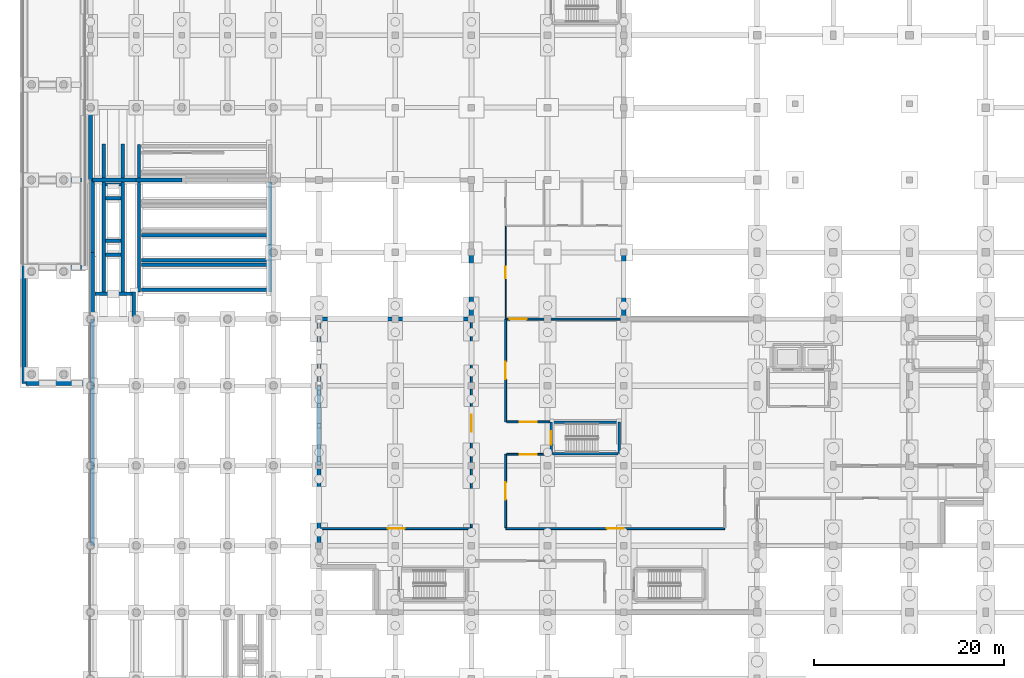
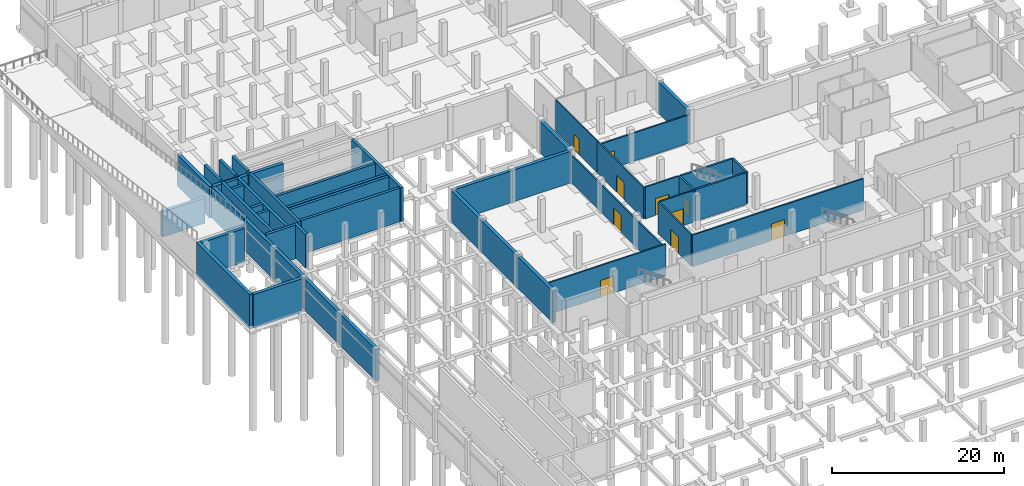
# One storey, part 34 of 50: 49 walls, 10 doors, 10 openings.
"""IFC4 building model written with IfcOpenShell, lengths in metres."""

import ifcopenshell
import ifcopenshell.guid

model = None  # the IFC model being written
_history = None  # IfcOwnerHistory: only IFC2X3 demands one
_inside = {}  # id of a spatial element -> (the spatial element, [elements in it])
_under = {}  # id of a project, library or spatial element -> (it, [spatial elements below it])
_declared = {}  # id of a project -> (the project, [libraries it declares])
_typed = {}  # id of a type object -> (the type object, [elements of that type])
_made_of = {}  # id of a material, layer set ... -> (it, [elements and type objects made of it])


def new_model(schema):
    """Start an empty IFC model of exactly this schema.

    Asked for "IFC4X3", IfcOpenShell would pick the latest addendum, in which some entities
    have other attributes; the version numbers below select the first issue.
    IFC2X3 requires an IfcOwnerHistory on every rooted entity: one is made here for all.
    """
    global model, _history
    if schema == "IFC4X3":
        model = ifcopenshell.file(schema_version=(4, 3, 0, 0))
    else:
        model = ifcopenshell.file(schema=schema)
    _inside.clear()
    _under.clear()
    _declared.clear()
    _typed.clear()
    _made_of.clear()
    _history = None
    if model.schema == "IFC2X3":
        org = make("IfcOrganization", Name="unknown")
        user = make(
            "IfcPersonAndOrganization",
            ThePerson=make("IfcPerson", FamilyName="unknown"),
            TheOrganization=org,
        )
        app = make(
            "IfcApplication",
            ApplicationDeveloper=org,
            Version="unknown",
            ApplicationFullName="unknown",
            ApplicationIdentifier="unknown",
        )
        _history = make(
            "IfcOwnerHistory",
            OwningUser=user,
            OwningApplication=app,
            ChangeAction="ADDED",
            CreationDate=0,
        )
    return model


def make(cls, **values):
    """One entity of the class cls with the attributes given. An attribute that is None is left unset."""
    return model.create_entity(
        cls, **{name: value for name, value in values.items() if value is not None}
    )


def rooted(cls, **values):
    """An entity with a GlobalId (a new one), such as an element, a storey or a relation."""
    return make(cls, GlobalId=ifcopenshell.guid.new(), OwnerHistory=_history, **values)


def si_unit(unit_type, name, prefix=None):
    """IfcSIUnit, for example si_unit("LENGTHUNIT", "METRE", prefix="MILLI")."""
    return make("IfcSIUnit", UnitType=unit_type, Prefix=prefix, Name=name)


def assignment(units):
    """IfcUnitAssignment: the units of a project."""
    return None if units is None else make("IfcUnitAssignment", Units=units)


def point(xyz):
    """IfcCartesianPoint."""
    return None if xyz is None else make("IfcCartesianPoint", Coordinates=xyz)


def direction(xyz):
    """IfcDirection."""
    return None if xyz is None else make("IfcDirection", DirectionRatios=xyz)


def frame(location, z_axis=None, x_axis=None):
    """IfcAxis2Placement3D, a coordinate frame: its origin and axes. An axis left out is left unset."""
    return make(
        "IfcAxis2Placement3D",
        Location=point(location),
        Axis=direction(z_axis),
        RefDirection=direction(x_axis),
    )


def frame_2d(location, x_axis=None):
    """IfcAxis2Placement2D, a coordinate frame in the plane: its origin and x axis."""
    return make(
        "IfcAxis2Placement2D", Location=point(location), RefDirection=direction(x_axis)
    )


def origin():
    """The frame at (0, 0, 0) with its axes left unset."""
    return frame((0.0, 0.0, 0.0))


def place(relative_to, where):
    """IfcLocalPlacement: puts the frame where relative to a parent placement (None: the world)."""
    return make(
        "IfcLocalPlacement", PlacementRelTo=relative_to, RelativePlacement=where
    )


def context(
    kind, dimensions, precision=None, world=None, true_north=None, identifier=None
):
    """IfcGeometricRepresentationContext, for example the 3D "Model" context."""
    return make(
        "IfcGeometricRepresentationContext",
        ContextIdentifier=identifier,
        ContextType=kind,
        CoordinateSpaceDimension=dimensions,
        Precision=precision,
        WorldCoordinateSystem=world,
        TrueNorth=true_north,
    )


def subcontext(parent, identifier, kind, view, scale=None):
    """IfcGeometricRepresentationSubContext, for example "Body" below "Model"."""
    return make(
        "IfcGeometricRepresentationSubContext",
        ContextIdentifier=identifier,
        ContextType=kind,
        ParentContext=parent,
        TargetScale=scale,
        TargetView=view,
    )


def project(units=None, contexts=None):
    """IfcProject with its units and contexts."""
    return rooted(
        "IfcProject",
        Name="project",
        RepresentationContexts=contexts,
        UnitsInContext=assignment(units),
    )


def spatial(cls, under=None, at=None, **own):
    """A site, building, storey or space (cls), placed at a placement, below another one or the project."""
    s = rooted(cls, ObjectPlacement=at, **own)
    if under is not None:
        _under.setdefault(under.id(), (under, []))[1].append(s)
    return s


def profile(cls, at=None, kind="AREA", **sizes):
    """A parametric profile (cls). Its sizes go by their IFC names, for example OverallWidth=200.0."""
    return make(cls, ProfileType=kind, Position=at, **sizes)


def rectangle(**sizes):
    """IfcRectangleProfileDef."""
    return profile("IfcRectangleProfileDef", **sizes)


def extrude(swept, where, along, depth):
    """IfcExtrudedAreaSolid: the profile swept, set in the frame where, extruded along a direction by depth."""
    return make(
        "IfcExtrudedAreaSolid",
        SweptArea=swept,
        Position=where,
        ExtrudedDirection=direction(along),
        Depth=depth,
    )


def shape(context_of_items, identifier, shape_type, items):
    """IfcShapeRepresentation: the items that make up one representation, for example the "Body"."""
    return make(
        "IfcShapeRepresentation",
        ContextOfItems=context_of_items,
        RepresentationIdentifier=identifier,
        RepresentationType=shape_type,
        Items=items,
    )


def material(Name=None, Category=None):
    """IfcMaterial."""
    return make("IfcMaterial", Name=Name, Category=Category)


def layer(
    of_material, thickness, ventilated=None, Name=None, Category=None, Priority=None
):
    """IfcMaterialLayer: one layer of a wall or slab, of a material (None: an air gap)."""
    return make(
        "IfcMaterialLayer",
        Material=of_material,
        LayerThickness=thickness,
        IsVentilated=ventilated,
        Name=Name,
        Category=Category,
        Priority=Priority,
    )


def layer_set(layers, Name=None):
    """IfcMaterialLayerSet."""
    return make("IfcMaterialLayerSet", MaterialLayers=layers, LayerSetName=Name)


def made_of(thing, what):
    """Note that an element or type object is made of a material, layer set ...; save() writes the relation."""
    if what is not None:
        _made_of.setdefault(what.id(), (what, []))[1].append(thing)
    return thing


def type_object(cls, material=None, **own):
    """A type object (cls), such as IfcWallType, which elements share."""
    return made_of(rooted(cls, **own), material)


def element(
    cls,
    number,
    at=None,
    inside=None,
    cuts=None,
    type_object=None,
    material=None,
    context=None,
    identifier="Body",
    shape_type=None,
    held_by="IfcProductDefinitionShape",
    body=None,
    shapes=None,
    **own,
):
    """One element of the class cls, such as IfcWall. Its Tag is "e" and its number.

    at: its placement. inside: the storey or other place that contains it. cuts: it is an
    opening in that element (IfcRelVoidsElement). A single representation is given by context,
    identifier, shape_type and body (its items); several are given by shapes. held_by: the class
    of the entity that holds the representations. save() writes the other relations.
    """
    e = rooted(cls, Tag="e%d" % number, ObjectPlacement=at, **own)
    if body is not None:
        shapes = [shape(context, identifier, shape_type, body)]
    if shapes is not None:
        e.Representation = make(held_by, Representations=shapes)
    if inside is not None:
        _inside.setdefault(inside.id(), (inside, []))[1].append(e)
    if cuts is not None:
        rooted(
            "IfcRelVoidsElement", RelatingBuildingElement=cuts, RelatedOpeningElement=e
        )
    if type_object is not None:
        _typed.setdefault(type_object.id(), (type_object, []))[1].append(e)
    return made_of(e, material)


def fill(opening, filler):
    """IfcRelFillsElement: the door or window that sits in an opening."""
    return rooted(
        "IfcRelFillsElement",
        RelatingOpeningElement=opening,
        RelatedBuildingElement=filler,
    )


def aggregate(whole, parts):
    """IfcRelAggregates: a whole, such as a stair, and the parts it consists of."""
    return rooted("IfcRelAggregates", RelatingObject=whole, RelatedObjects=parts)


def save(model, path):
    """Write the relations noted so far, then the file.

    IfcRelAggregates (storeys below a building ...), IfcRelContainedInSpatialStructure (elements
    in a storey), IfcRelDefinesByType, IfcRelAssociatesMaterial and IfcRelDeclares: one each for
    every whole, place, type object, material and project.
    """
    for whole, parts in _under.values():
        aggregate(whole, parts)
    for where, things in _inside.values():
        rooted(
            "IfcRelContainedInSpatialStructure",
            RelatedElements=things,
            RelatingStructure=where,
        )
    for kind, things in _typed.values():
        rooted("IfcRelDefinesByType", RelatedObjects=things, RelatingType=kind)
    for what, things in _made_of.values():
        rooted("IfcRelAssociatesMaterial", RelatedObjects=things, RelatingMaterial=what)
    for by, libraries in _declared.values():
        rooted("IfcRelDeclares", RelatingContext=by, RelatedDefinitions=libraries)
    model.write(path)


model = new_model("IFC4")

# Units and contexts
model_context = context("Model", 3, precision=1e-05, world=origin(), true_north=direction((0.0, 1.0)))
body_context = subcontext(model_context, "Body", "Model", "MODEL_VIEW")
ifc_project = project(units=[si_unit("LENGTHUNIT", "METRE"), si_unit("AREAUNIT", "SQUARE_METRE"), si_unit("VOLUMEUNIT", "CUBIC_METRE"), si_unit("PLANEANGLEUNIT", "RADIAN"), si_unit("MASSUNIT", "GRAM", prefix="KILO")], contexts=[model_context])

# Site, building, storey
site_placement = place(None, origin())
site = spatial("IfcSite", under=ifc_project, at=site_placement, CompositionType="ELEMENT")
building_placement = place(site_placement, origin())
building = spatial("IfcBuilding", under=site, at=building_placement, Name="Vekula Escarpment Museum", CompositionType="ELEMENT")
storey_placement = place(building_placement, frame((0.0, 0.0, -4.800048828125)))
storey = spatial("IfcBuildingStorey", under=building, at=storey_placement, Name="B1", CompositionType="ELEMENT", Elevation=-4.800048828125)

# Walls
ifc_material_1 = material(Name="Inkisi arkosic sandstone masonry", Category="masonry")
ifc_layer_1 = layer(ifc_material_1, 0.360107421875)
ifc_layer_set_1 = layer_set([ifc_layer_1], Name="Inkisi arkosic sandstone masonry")
wall_type_1 = type_object("IfcWallType", Name="WL-AMP-CHEEK", PredefinedType="SOLIDWALL", material=ifc_layer_set_1)
wall_1_placement = place(storey_placement, frame((1.389892578125, 86.199951171875, 0.0), z_axis=(0.0, 0.0, 1.0), x_axis=(0.0, 1.0, 0.0)))
element("IfcWall", 1, at=wall_1_placement, inside=storey, type_object=wall_type_1, Name="Escarpment Plinth Sub-Plinth Wall ST-AMP-N1 W", PredefinedType="SOLIDWALL", context=body_context, shape_type="SweptSolid", body=[
    extrude(rectangle(XDim=11.571044921875, YDim=0.360107421875, at=frame_2d((5.78564453125, 0.0))), origin(), (0.0, 0.0, 1.0), 4.800048828125),
])
wall_2_placement = place(storey_placement, frame((1.389892578125, 98.22900390625, 0.0), z_axis=(0.0, 0.0, 1.0), x_axis=(0.0, 1.0, 0.0)))
element("IfcWall", 2, at=wall_2_placement, inside=storey, type_object=wall_type_1, Name="Escarpment Plinth Sub-Plinth Wall ST-AMP-N1 W", PredefinedType="SOLIDWALL", context=body_context, shape_type="SweptSolid", body=[
    extrude(rectangle(XDim=3.56103515625, YDim=0.360107421875, at=frame_2d((1.780517578125, 0.0))), origin(), (0.0, 0.0, 1.0), 4.800048828125),
])
wall_3_placement = place(storey_placement, frame((3.409912109375, 86.199951171875, 0.0), z_axis=(0.0, 0.0, 1.0), x_axis=(0.0, 1.0, 0.0)))
element("IfcWall", 3, at=wall_3_placement, inside=storey, type_object=wall_type_1, Name="Escarpment Plinth Sub-Plinth Wall ST-AMP-N1 E", PredefinedType="SOLIDWALL", context=body_context, shape_type="SweptSolid", body=[
    extrude(rectangle(XDim=11.571044921875, YDim=0.360107421875, at=frame_2d((5.78564453125, 0.0))), origin(), (0.0, 0.0, 1.0), 4.800048828125),
])
wall_4_placement = place(storey_placement, frame((3.409912109375, 98.22900390625, 0.0), z_axis=(0.0, 0.0, 1.0), x_axis=(0.0, 1.0, 0.0)))
element("IfcWall", 4, at=wall_4_placement, inside=storey, type_object=wall_type_1, Name="Escarpment Plinth Sub-Plinth Wall ST-AMP-N1 E", PredefinedType="SOLIDWALL", context=body_context, shape_type="SweptSolid", body=[
    extrude(rectangle(XDim=3.56103515625, YDim=0.360107421875, at=frame_2d((1.780517578125, 0.0))), origin(), (0.0, 0.0, 1.0), 4.800048828125),
])
for number, where, z_axis, x_axis, name in (
    (5, (1.60009765625, 96.080078125, 0.0), (0.0, 0.0, 1.0), (1.0, 0.0, 0.0), "Escarpment Plinth Landing Sub-Wall ST-AMP-N1-1A"),
    (6, (1.60009765625, 97.530029296875, 0.0), (0.0, 0.0, 1.0), (1.0, 0.0, 0.0), "Escarpment Plinth Landing Sub-Wall ST-AMP-N1-1B"),
    (7, (1.60009765625, 90.169921875, 0.0), (0.0, 0.0, 1.0), (1.0, 0.0, 0.0), "Escarpment Plinth Landing Sub-Wall ST-AMP-N1-2A"),
    (8, (1.60009765625, 91.6201171875, 0.0), (0.0, 0.0, 1.0), (1.0, 0.0, 0.0), "Escarpment Plinth Landing Sub-Wall ST-AMP-N1-2B"),
):
    element("IfcWall", number, at=place(storey_placement, frame(where, z_axis=z_axis, x_axis=x_axis)), inside=storey, type_object=wall_type_1, Name=name, PredefinedType="SOLIDWALL", context=body_context, shape_type="SweptSolid", body=[
        extrude(rectangle(XDim=1.599853515625, YDim=0.360107421875, at=frame_2d((0.7998046875, 0.0))), origin(), (0.0, 0.0, 1.0), 4.800048828125),
    ])
wall_5_placement = place(storey_placement, frame((4.550048828125, 83.64990234375, 0.0), z_axis=(0.0, 0.0, 1.0), x_axis=(0.0, 1.0, 0.0)))
element("IfcWall", 9, at=wall_5_placement, inside=storey, type_object=wall_type_1, Name="Terrace Plinth Sub-Wall B1-06", PredefinedType="SOLIDWALL", context=body_context, shape_type="SweptSolid", body=[
    extrude(rectangle(XDim=2.590087890625, YDim=0.360107421875, at=frame_2d((1.294921875, 0.0))), origin(), (0.0, 0.0, 1.0), 4.800048828125),
])
wall_6_placement = place(storey_placement, frame((0.4541015625, 86.050048828125, 0.0), z_axis=(0.0, 0.0, 1.0), x_axis=(1.0, 0.0, 0.0)))
element("IfcWall", 10, at=wall_6_placement, inside=storey, type_object=wall_type_1, Name="Terrace Plinth Sub-Wall B1-07", PredefinedType="SOLIDWALL", context=body_context, shape_type="SweptSolid", body=[
    extrude(rectangle(XDim=3.89599609375, YDim=0.360107421875, at=frame_2d((1.947998046875, 0.0))), origin(), (0.0, 0.0, 1.0), 4.800048828125),
])
wall_7_placement = place(storey_placement, frame((5.10009765625, 86.25, 0.0), z_axis=(0.0, 0.0, 1.0), x_axis=(0.0, 1.0, 0.0)))
element("IfcWall", 11, at=wall_7_placement, inside=storey, type_object=wall_type_1, Name="Escarpment Plinth Bowl Sub-Wall N-W", PredefinedType="SOLIDWALL", context=body_context, shape_type="SweptSolid", body=[
    extrude(rectangle(XDim=11.52099609375, YDim=0.360107421875, at=frame_2d((5.760498046875, 0.0))), origin(), (0.0, 0.0, 1.0), 4.800048828125),
])
wall_8_placement = place(storey_placement, frame((5.10009765625, 98.22900390625, 0.0), z_axis=(0.0, 0.0, 1.0), x_axis=(0.0, 1.0, 0.0)))
element("IfcWall", 12, at=wall_8_placement, inside=storey, type_object=wall_type_1, Name="Escarpment Plinth Bowl Sub-Wall N-W", PredefinedType="SOLIDWALL", context=body_context, shape_type="SweptSolid", body=[
    extrude(rectangle(XDim=3.52099609375, YDim=0.360107421875, at=frame_2d((1.760498046875, 0.0))), origin(), (0.0, 0.0, 1.0), 4.800048828125),
])
wall_9_placement = place(storey_placement, frame((18.89990234375, 86.25, 0.0), z_axis=(0.0, 0.0, 1.0), x_axis=(0.0, 1.0, 0.0)))
element("IfcWall", 13, at=wall_9_placement, inside=storey, type_object=wall_type_1, Name="Escarpment Plinth Bowl Sub-Wall N-E", PredefinedType="SOLIDWALL", context=body_context, shape_type="SweptSolid", body=[
    extrude(rectangle(XDim=11.52099609375, YDim=0.360107421875, at=frame_2d((5.760498046875, 0.0))), origin(), (0.0, 0.0, 1.0), 4.800048828125),
])
for number, where, z_axis, x_axis, name in (
    (14, (5.35009765625, 89.570068359375, 0.0), (0.0, 0.0, 1.0), (1.0, 0.0, 0.0), "Escarpment Plinth Bench Sub-Wall 09F"),
    (15, (5.35009765625, 92.199951171875, 0.0), (0.0, 0.0, 1.0), (1.0, 0.0, 0.0), "Escarpment Plinth Bench Sub-Wall 09B"),
    (16, (5.35009765625, 86.469970703125, 0.0), (0.0, 0.0, 1.0), (1.0, 0.0, 0.0), "Escarpment Plinth Bench Sub-Wall 10F"),
    (17, (5.35009765625, 89.10009765625, 0.0), (0.0, 0.0, 1.0), (1.0, 0.0, 0.0), "Escarpment Plinth Bench Sub-Wall 10B"),
):
    element("IfcWall", number, at=place(storey_placement, frame(where, z_axis=z_axis, x_axis=x_axis)), inside=storey, type_object=wall_type_1, Name=name, PredefinedType="SOLIDWALL", context=body_context, shape_type="SweptSolid", body=[
        extrude(rectangle(XDim=13.2998046875, YDim=0.360107421875, at=frame_2d((6.64990234375, 0.0))), origin(), (0.0, 0.0, 1.0), 4.800048828125),
    ])

# Wall, opening, door
ifc_material_2 = material(Name="Concrete C35/45", Category="concrete")
ifc_layer_2 = layer(ifc_material_2, 0.25)
ifc_layer_set_2 = layer_set([ifc_layer_2], Name="Concrete C35/45")
wall_type_2 = type_object("IfcWallType", Name="WL-CORE-250", PredefinedType="SHEAR", material=ifc_layer_set_2)
wall_10_placement = place(storey_placement, frame((48.375, 69.27490234375, 0.0), z_axis=(0.0, 0.0, 1.0), x_axis=(0.0, 1.0, 0.0)))
wall_10 = element("IfcWall", 18, at=wall_10_placement, inside=storey, type_object=wall_type_2, Name="Stair Core Wall ST-10 B1 W", PredefinedType="SHEAR", context=body_context, shape_type="SweptSolid", body=[
    extrude(rectangle(XDim=3.2900390625, YDim=0.25, at=frame_2d((1.64501953125, 0.0))), origin(), (0.0, 0.0, 1.0), 4.5),
])
opening_1_placement = place(wall_10_placement, frame((0.945068359375, 0.0, 0.0)))
opening_1 = element("IfcOpeningElement", 19, at=opening_1_placement, cuts=wall_10, Name="Opening DR-FD60", PredefinedType="OPENING", context=body_context, shape_type="SweptSolid", body=[
    extrude(rectangle(XDim=1.39990234375, YDim=2.199951171875, at=frame_2d((0.699951171875, 1.10009765625))), frame((0.0, 0.135009765625, 0.0), z_axis=(0.0, -1.0, 0.0), x_axis=(1.0, 0.0, 0.0)), (0.0, 0.0, 1.0), 0.27001953125),
])
ifc_material_3 = material(Name="Fire-rated steel stair door", Category="steel")
door_type_1 = type_object("IfcDoorType", Name="DR-STAIR-1400x2200", OperationType="NOTDEFINED", PredefinedType="DOOR", material=ifc_material_3)
door_1_placement = place(opening_1_placement, origin())
door_1 = element("IfcDoor", 20, at=door_1_placement, inside=storey, type_object=door_type_1, Name="Protected Exit Stair Door ST-10 B1", OperationType="SINGLE_SWING_RIGHT", OverallHeight=2.199951171875, OverallWidth=1.39990234375, PredefinedType="DOOR", context=body_context, shape_type="SweptSolid", body=[
    extrude(rectangle(XDim=1.39990234375, YDim=2.199951171875, at=frame_2d((0.699951171875, 1.10009765625))), frame((0.0, 0.02490234375, 0.0), z_axis=(0.0, -1.0, 0.0), x_axis=(1.0, 0.0, 0.0)), (0.0, 0.0, 1.0), 0.050048828125),
])
fill(opening_1, door_1)

# Walls
wall_11_placement = place(storey_placement, frame((55.52490234375, 69.27490234375, 0.0), z_axis=(0.0, 0.0, 1.0), x_axis=(0.0, 1.0, 0.0)))
element("IfcWall", 21, at=wall_11_placement, inside=storey, type_object=wall_type_2, Name="Stair Core Wall ST-10 B1 E", PredefinedType="SHEAR", context=body_context, shape_type="SweptSolid", body=[
    extrude(rectangle(XDim=3.2900390625, YDim=0.25, at=frame_2d((1.64501953125, 0.0))), origin(), (0.0, 0.0, 1.0), 4.5),
])
for number, where, z_axis, x_axis, name in (
    (22, (48.50390625, 69.27490234375, 0.0), (0.0, 0.0, 1.0), (1.0, 0.0, 0.0), "Stair Core Wall ST-10 B1 S"),
    (23, (48.50390625, 72.56494140625, 0.0), (0.0, 0.0, 1.0), (1.0, 0.0, 0.0), "Stair Core Wall ST-10 B1 N"),
):
    element("IfcWall", number, at=place(storey_placement, frame(where, z_axis=z_axis, x_axis=x_axis)), inside=storey, type_object=wall_type_2, Name=name, PredefinedType="SHEAR", context=body_context, shape_type="SweptSolid", body=[
        extrude(rectangle(XDim=6.89208984375, YDim=0.25, at=frame_2d((3.446044921875, 0.0))), origin(), (0.0, 0.0, 1.0), 4.5),
    ])

# Wall, opening, door
ifc_material_4 = material(Name="Concrete C35/45", Category="concrete")
ifc_layer_3 = layer(ifc_material_4, 0.199951171875)
ifc_layer_set_3 = layer_set([ifc_layer_3], Name="Concrete C35/45")
wall_type_3 = type_object("IfcWallType", Name="WL-FFL-200", PredefinedType="PARTITIONING", material=ifc_layer_set_3)
wall_12_placement = place(storey_placement, frame((43.6640625, 83.39990234375, 0.0), z_axis=(0.0, 0.0, 1.0), x_axis=(1.0, 0.0, 0.0)))
wall_12 = element("IfcWall", 24, at=wall_12_placement, inside=storey, type_object=wall_type_3, Name="Interior Partition WL-INT-B1-0009", PredefinedType="PARTITIONING", context=body_context, shape_type="SweptSolid", body=[
    extrude(rectangle(XDim=12.3359375, YDim=0.199951171875, at=frame_2d((6.16796875, 0.0))), origin(), (0.0, 0.0, 1.0), 4.01513671875),
])
opening_2_placement = place(wall_12_placement, frame((0.35009765625, 0.0, 0.0)))
opening_2 = element("IfcOpeningElement", 25, at=opening_2_placement, cuts=wall_12, Name="Opening DR-FD120", PredefinedType="OPENING", context=body_context, shape_type="SweptSolid", body=[
    extrude(rectangle(XDim=1.800048828125, YDim=2.39990234375, at=frame_2d((0.89990234375, 1.199951171875))), frame((0.0, 0.10986328125, 0.0), z_axis=(0.0, -1.0, 0.0), x_axis=(1.0, 0.0, 0.0)), (0.0, 0.0, 1.0), 0.219970703125),
])
ifc_material_5 = material(Name="Fire-rated steel archive vault door", Category="steel")
door_type_2 = type_object("IfcDoorType", Name="DR-VAULT-1800x2400", OperationType="NOTDEFINED", PredefinedType="DOOR", material=ifc_material_5)
door_2_placement = place(opening_2_placement, origin())
door_2 = element("IfcDoor", 26, at=door_2_placement, inside=storey, type_object=door_type_2, Name="Interior Door B1-006", OperationType="SINGLE_SWING_RIGHT", OverallHeight=2.39990234375, OverallWidth=1.800048828125, PredefinedType="DOOR", context=body_context, shape_type="SweptSolid", body=[
    extrude(rectangle(XDim=1.800048828125, YDim=2.39990234375, at=frame_2d((0.89990234375, 1.199951171875))), frame((0.0, 0.02490234375, 0.0), z_axis=(0.0, -1.0, 0.0), x_axis=(1.0, 0.0, 0.0)), (0.0, 0.0, 1.0), 0.050048828125),
])
fill(opening_2, door_2)

wall_13_placement = place(storey_placement, frame((24.22900390625, 61.39990234375, 0.0), z_axis=(0.0, 0.0, 1.0), x_axis=(1.0, 0.0, 0.0)))
wall_13 = element("IfcWall", 27, at=wall_13_placement, inside=storey, type_object=wall_type_3, Name="Interior Partition WL-INT-B1-0010", PredefinedType="PARTITIONING", context=body_context, shape_type="SweptSolid", body=[
    extrude(rectangle(XDim=15.77099609375, YDim=0.199951171875, at=frame_2d((7.885498046875, 0.0))), origin(), (0.0, 0.0, 1.0), 4.5),
])
opening_3_placement = place(wall_13_placement, frame((6.985595703125, 0.0, 0.0)))
opening_3 = element("IfcOpeningElement", 28, at=opening_3_placement, cuts=wall_13, Name="Opening DR-FD120", PredefinedType="OPENING", context=body_context, shape_type="SweptSolid", body=[
    extrude(rectangle(XDim=1.800048828125, YDim=2.39990234375, at=frame_2d((0.89990234375, 1.199951171875))), frame((0.0, 0.10986328125, 0.0), z_axis=(0.0, -1.0, 0.0), x_axis=(1.0, 0.0, 0.0)), (0.0, 0.0, 1.0), 0.219970703125),
])
door_3_placement = place(opening_3_placement, origin())
door_3 = element("IfcDoor", 29, at=door_3_placement, inside=storey, type_object=door_type_2, Name="Interior Door B1-007", OperationType="SINGLE_SWING_LEFT", OverallHeight=2.39990234375, OverallWidth=1.800048828125, PredefinedType="DOOR", context=body_context, shape_type="SweptSolid", body=[
    extrude(rectangle(XDim=1.800048828125, YDim=2.39990234375, at=frame_2d((0.89990234375, 1.199951171875))), frame((0.0, 0.02490234375, 0.0), z_axis=(0.0, -1.0, 0.0), x_axis=(1.0, 0.0, 0.0)), (0.0, 0.0, 1.0), 0.050048828125),
])
fill(opening_3, door_3)

wall_14_placement = place(storey_placement, frame((43.60009765625, 61.39990234375, 0.0), z_axis=(0.0, 0.0, 1.0), x_axis=(1.0, 0.0, 0.0)))
wall_14 = element("IfcWall", 30, at=wall_14_placement, inside=storey, type_object=wall_type_3, Name="Interior Partition WL-INT-B1-0011", PredefinedType="PARTITIONING", context=body_context, shape_type="SweptSolid", body=[
    extrude(rectangle(XDim=23.0, YDim=0.199951171875, at=frame_2d((11.5, 0.0))), origin(), (0.0, 0.0, 1.0), 4.5),
])
opening_4_placement = place(wall_14_placement, frame((10.60009765625, 0.0, 0.0)))
opening_4 = element("IfcOpeningElement", 31, at=opening_4_placement, cuts=wall_14, Name="Opening DR-FD120", PredefinedType="OPENING", context=body_context, shape_type="SweptSolid", body=[
    extrude(rectangle(XDim=1.800048828125, YDim=2.39990234375, at=frame_2d((0.89990234375, 1.199951171875))), frame((0.0, 0.10986328125, 0.0), z_axis=(0.0, -1.0, 0.0), x_axis=(1.0, 0.0, 0.0)), (0.0, 0.0, 1.0), 0.219970703125),
])
door_4_placement = place(opening_4_placement, origin())
door_4 = element("IfcDoor", 32, at=door_4_placement, inside=storey, type_object=door_type_2, Name="Interior Door B1-008", OperationType="SINGLE_SWING_RIGHT", OverallHeight=2.39990234375, OverallWidth=1.800048828125, PredefinedType="DOOR", context=body_context, shape_type="SweptSolid", body=[
    extrude(rectangle(XDim=1.800048828125, YDim=2.39990234375, at=frame_2d((0.89990234375, 1.199951171875))), frame((0.0, 0.02490234375, 0.0), z_axis=(0.0, -1.0, 0.0), x_axis=(1.0, 0.0, 0.0)), (0.0, 0.0, 1.0), 0.050048828125),
])
fill(opening_4, door_4)

wall_15_placement = place(storey_placement, frame((40.0, 61.50390625, 0.0), z_axis=(0.0, 0.0, 1.0), x_axis=(0.0, 1.0, 0.0)))
wall_15 = element("IfcWall", 33, at=wall_15_placement, inside=storey, type_object=wall_type_3, Name="Interior Partition WL-INT-B1-0014", PredefinedType="PARTITIONING", context=body_context, shape_type="SweptSolid", body=[
    extrude(rectangle(XDim=21.89599609375, YDim=0.199951171875, at=frame_2d((10.947998046875, 0.0))), origin(), (0.0, 0.0, 1.0), 3.9150390625),
])
opening_5_placement = place(wall_15_placement, frame((10.048095703125, 0.0, 0.0)))
opening_5 = element("IfcOpeningElement", 34, at=opening_5_placement, cuts=wall_15, Name="Opening DR-FD120", PredefinedType="OPENING", context=body_context, shape_type="SweptSolid", body=[
    extrude(rectangle(XDim=1.800048828125, YDim=2.39990234375, at=frame_2d((0.89990234375, 1.199951171875))), frame((0.0, 0.10986328125, 0.0), z_axis=(0.0, -1.0, 0.0), x_axis=(1.0, 0.0, 0.0)), (0.0, 0.0, 1.0), 0.219970703125),
])
door_5_placement = place(opening_5_placement, origin())
door_5 = element("IfcDoor", 35, at=door_5_placement, inside=storey, type_object=door_type_2, Name="Interior Door B1-010", OperationType="SINGLE_SWING_RIGHT", OverallHeight=2.39990234375, OverallWidth=1.800048828125, PredefinedType="DOOR", context=body_context, shape_type="SweptSolid", body=[
    extrude(rectangle(XDim=1.800048828125, YDim=2.39990234375, at=frame_2d((0.89990234375, 1.199951171875))), frame((0.0, 0.02490234375, 0.0), z_axis=(0.0, -1.0, 0.0), x_axis=(1.0, 0.0, 0.0)), (0.0, 0.0, 1.0), 0.050048828125),
])
fill(opening_5, door_5)

wall_16_placement = place(storey_placement, frame((43.60009765625, 72.60009765625, 0.0), z_axis=(0.0, 0.0, 1.0), x_axis=(0.0, 1.0, 0.0)))
wall_16 = element("IfcWall", 36, at=wall_16_placement, inside=storey, type_object=wall_type_3, Name="Interior Partition WL-INT-B1-0015", PredefinedType="PARTITIONING", context=body_context, shape_type="SweptSolid", body=[
    extrude(rectangle(XDim=10.7998046875, YDim=0.199951171875, at=frame_2d((5.39990234375, 0.0))), origin(), (0.0, 0.0, 1.0), 4.5),
])
opening_6_placement = place(wall_16_placement, frame((4.5, 0.0, 0.0)))
opening_6 = element("IfcOpeningElement", 37, at=opening_6_placement, cuts=wall_16, Name="Opening DR-FD120", PredefinedType="OPENING", context=body_context, shape_type="SweptSolid", body=[
    extrude(rectangle(XDim=1.800048828125, YDim=2.39990234375, at=frame_2d((0.89990234375, 1.199951171875))), frame((0.0, 0.10986328125, 0.0), z_axis=(0.0, -1.0, 0.0), x_axis=(1.0, 0.0, 0.0)), (0.0, 0.0, 1.0), 0.219970703125),
])
door_6_placement = place(opening_6_placement, origin())
door_6 = element("IfcDoor", 38, at=door_6_placement, inside=storey, type_object=door_type_2, Name="Interior Door B1-011", OperationType="SINGLE_SWING_LEFT", OverallHeight=2.39990234375, OverallWidth=1.800048828125, PredefinedType="DOOR", context=body_context, shape_type="SweptSolid", body=[
    extrude(rectangle(XDim=1.800048828125, YDim=2.39990234375, at=frame_2d((0.89990234375, 1.199951171875))), frame((0.0, 0.02490234375, 0.0), z_axis=(0.0, -1.0, 0.0), x_axis=(1.0, 0.0, 0.0)), (0.0, 0.0, 1.0), 0.050048828125),
])
fill(opening_6, door_6)

wall_17_placement = place(storey_placement, frame((43.60009765625, 61.50390625, 0.0), z_axis=(0.0, 0.0, 1.0), x_axis=(0.0, 1.0, 0.0)))
wall_17 = element("IfcWall", 39, at=wall_17_placement, inside=storey, type_object=wall_type_3, Name="Interior Partition WL-INT-B1-0016", PredefinedType="PARTITIONING", context=body_context, shape_type="SweptSolid", body=[
    extrude(rectangle(XDim=7.696044921875, YDim=0.199951171875, at=frame_2d((3.84814453125, 0.0))), origin(), (0.0, 0.0, 1.0), 4.5),
])
opening_7_placement = place(wall_17_placement, frame((2.947998046875, 0.0, 0.0)))
opening_7 = element("IfcOpeningElement", 40, at=opening_7_placement, cuts=wall_17, Name="Opening DR-FD120", PredefinedType="OPENING", context=body_context, shape_type="SweptSolid", body=[
    extrude(rectangle(XDim=1.800048828125, YDim=2.39990234375, at=frame_2d((0.89990234375, 1.199951171875))), frame((0.0, 0.10986328125, 0.0), z_axis=(0.0, -1.0, 0.0), x_axis=(1.0, 0.0, 0.0)), (0.0, 0.0, 1.0), 0.219970703125),
])
door_7_placement = place(opening_7_placement, origin())
door_7 = element("IfcDoor", 41, at=door_7_placement, inside=storey, type_object=door_type_2, Name="Interior Door B1-012", OperationType="SINGLE_SWING_RIGHT", OverallHeight=2.39990234375, OverallWidth=1.800048828125, PredefinedType="DOOR", context=body_context, shape_type="SweptSolid", body=[
    extrude(rectangle(XDim=1.800048828125, YDim=2.39990234375, at=frame_2d((0.89990234375, 1.199951171875))), frame((0.0, 0.02490234375, 0.0), z_axis=(0.0, -1.0, 0.0), x_axis=(1.0, 0.0, 0.0)), (0.0, 0.0, 1.0), 0.050048828125),
])
fill(opening_7, door_7)

wall_18_placement = place(storey_placement, frame((43.7041015625, 72.60009765625, 0.0), z_axis=(0.0, 0.0, 1.0), x_axis=(1.0, 0.0, 0.0)))
wall_18 = element("IfcWall", 42, at=wall_18_placement, inside=storey, type_object=wall_type_3, Name="Interior Partition WL-INT-B1-0017", PredefinedType="PARTITIONING", context=body_context, shape_type="SweptSolid", body=[
    extrude(rectangle(XDim=4.5458984375, YDim=0.199951171875, at=frame_2d((2.27294921875, 0.0))), origin(), (0.0, 0.0, 1.0), 4.5),
])
opening_8_placement = place(wall_18_placement, frame((1.373046875, 0.0, 0.0)))
opening_8 = element("IfcOpeningElement", 43, at=opening_8_placement, cuts=wall_18, Name="Opening DR-FD120", PredefinedType="OPENING", context=body_context, shape_type="SweptSolid", body=[
    extrude(rectangle(XDim=1.800048828125, YDim=2.39990234375, at=frame_2d((0.89990234375, 1.199951171875))), frame((0.0, 0.10986328125, 0.0), z_axis=(0.0, -1.0, 0.0), x_axis=(1.0, 0.0, 0.0)), (0.0, 0.0, 1.0), 0.219970703125),
])
door_8_placement = place(opening_8_placement, origin())
door_8 = element("IfcDoor", 44, at=door_8_placement, inside=storey, type_object=door_type_2, Name="Interior Door B1-013", OperationType="SINGLE_SWING_LEFT", OverallHeight=2.39990234375, OverallWidth=1.800048828125, PredefinedType="DOOR", context=body_context, shape_type="SweptSolid", body=[
    extrude(rectangle(XDim=1.800048828125, YDim=2.39990234375, at=frame_2d((0.89990234375, 1.199951171875))), frame((0.0, 0.02490234375, 0.0), z_axis=(0.0, -1.0, 0.0), x_axis=(1.0, 0.0, 0.0)), (0.0, 0.0, 1.0), 0.050048828125),
])
fill(opening_8, door_8)

wall_19_placement = place(storey_placement, frame((43.7041015625, 69.199951171875, 0.0), z_axis=(0.0, 0.0, 1.0), x_axis=(1.0, 0.0, 0.0)))
wall_19 = element("IfcWall", 45, at=wall_19_placement, inside=storey, type_object=wall_type_3, Name="Interior Partition WL-INT-B1-0018", PredefinedType="PARTITIONING", context=body_context, shape_type="SweptSolid", body=[
    extrude(rectangle(XDim=4.5458984375, YDim=0.199951171875, at=frame_2d((2.27294921875, 0.0))), origin(), (0.0, 0.0, 1.0), 4.5),
])
opening_9_placement = place(wall_19_placement, frame((1.373046875, 0.0, 0.0)))
opening_9 = element("IfcOpeningElement", 46, at=opening_9_placement, cuts=wall_19, Name="Opening DR-FD120", PredefinedType="OPENING", context=body_context, shape_type="SweptSolid", body=[
    extrude(rectangle(XDim=1.800048828125, YDim=2.39990234375, at=frame_2d((0.89990234375, 1.199951171875))), frame((0.0, 0.10986328125, 0.0), z_axis=(0.0, -1.0, 0.0), x_axis=(1.0, 0.0, 0.0)), (0.0, 0.0, 1.0), 0.219970703125),
])
door_9_placement = place(opening_9_placement, origin())
door_9 = element("IfcDoor", 47, at=door_9_placement, inside=storey, type_object=door_type_2, Name="Interior Door B1-014", OperationType="SINGLE_SWING_RIGHT", OverallHeight=2.39990234375, OverallWidth=1.800048828125, PredefinedType="DOOR", context=body_context, shape_type="SweptSolid", body=[
    extrude(rectangle(XDim=1.800048828125, YDim=2.39990234375, at=frame_2d((0.89990234375, 1.199951171875))), frame((0.0, 0.02490234375, 0.0), z_axis=(0.0, -1.0, 0.0), x_axis=(1.0, 0.0, 0.0)), (0.0, 0.0, 1.0), 0.050048828125),
])
fill(opening_9, door_9)

ifc_material_6 = material(Name="Lightweight studio partition", Category="gypsum")
ifc_layer_4 = layer(ifc_material_6, 0.1201171875)
ifc_layer_set_4 = layer_set([ifc_layer_4], Name="Lightweight studio partition")
wall_type_4 = type_object("IfcWallType", Name="WL-PART-120", PredefinedType="PARTITIONING", material=ifc_layer_set_4)
wall_20_placement = place(storey_placement, frame((43.60009765625, 83.39990234375, 0.0), z_axis=(0.0, 0.0, 1.0), x_axis=(0.0, 1.0, 0.0)))
wall_20 = element("IfcWall", 48, at=wall_20_placement, inside=storey, type_object=wall_type_4, Name="Interior Partition WL-INT-B1-0003", PredefinedType="PARTITIONING", context=body_context, shape_type="SweptSolid", body=[
    extrude(rectangle(XDim=9.800048828125, YDim=0.1201171875, at=frame_2d((4.89990234375, 0.0))), origin(), (0.0, 0.0, 1.0), 4.5),
])
opening_10_placement = place(wall_20_placement, frame((4.300048828125, 0.0, 0.0)))
opening_10 = element("IfcOpeningElement", 49, at=opening_10_placement, cuts=wall_20, Name="Opening DR-LB12", PredefinedType="OPENING", context=body_context, shape_type="SweptSolid", body=[
    extrude(rectangle(XDim=1.199951171875, YDim=2.199951171875, at=frame_2d((0.60009765625, 1.10009765625))), frame((0.0, 0.070068359375, 0.0), z_axis=(0.0, -1.0, 0.0), x_axis=(1.0, 0.0, 0.0)), (0.0, 0.0, 1.0), 0.14013671875),
])
ifc_material_7 = material(Name="Sealed conservation laboratory door", Category="steel")
door_type_3 = type_object("IfcDoorType", Name="DR-LAB-1200x2200", OperationType="NOTDEFINED", PredefinedType="DOOR", material=ifc_material_7)
door_10_placement = place(opening_10_placement, origin())
door_10 = element("IfcDoor", 50, at=door_10_placement, inside=storey, type_object=door_type_3, Name="Interior Door B1-003", OperationType="SINGLE_SWING_LEFT", OverallHeight=2.199951171875, OverallWidth=1.199951171875, PredefinedType="DOOR", context=body_context, shape_type="SweptSolid", body=[
    extrude(rectangle(XDim=1.199951171875, YDim=2.199951171875, at=frame_2d((0.60009765625, 1.10009765625))), frame((0.0, 0.02490234375, 0.0), z_axis=(0.0, -1.0, 0.0), x_axis=(1.0, 0.0, 0.0)), (0.0, 0.0, 1.0), 0.050048828125),
])
fill(opening_10, door_10)

# Walls
ifc_material_8 = material(Name="Inkisi arkosic sandstone masonry", Category="masonry")
ifc_layer_5 = layer(ifc_material_8, 0.449951171875)
ifc_layer_set_5 = layer_set([ifc_layer_5], Name="Inkisi arkosic sandstone masonry")
wall_type_5 = type_object("IfcWallType", Name="WL-PLN-450", PredefinedType="SOLIDWALL", material=ifc_layer_set_5)
wall_21_placement = place(storey_placement, frame((0.22509765625, 98.0, 0.0), z_axis=(0.0, 0.0, 1.0), x_axis=(0.0, -1.0, 0.0)))
element("IfcWall", 51, at=wall_21_placement, inside=storey, type_object=wall_type_5, Name="Sandstone Plinth Perimeter Wall 0069", PredefinedType="SOLIDWALL", context=body_context, shape_type="SweptSolid", body=[
    extrude(rectangle(XDim=7.60009765625, YDim=0.449951171875, at=frame_2d((3.800048828125, 0.0))), origin(), (0.0, 0.0, 1.0), 4.5),
])
for number, where, z_axis, x_axis, name in (
    (52, (0.22509765625, 90.39990234375, 0.0), (0.0, 0.0, 1.0), (0.0, -1.0, 0.0), "Sandstone Plinth Perimeter Wall 0070"),
    (53, (0.22509765625, 83.39990234375, 0.0), (0.0, 0.0, 1.0), (0.0, -1.0, 0.0), "Sandstone Plinth Perimeter Wall 0071"),
):
    element("IfcWall", number, at=place(storey_placement, frame(where, z_axis=z_axis, x_axis=x_axis)), inside=storey, type_object=wall_type_5, Name=name, PredefinedType="SOLIDWALL", context=body_context, shape_type="SweptSolid", body=[
        extrude(rectangle(XDim=7.0, YDim=0.449951171875, at=frame_2d((3.5, 0.0))), origin(), (0.0, 0.0, 1.0), 4.5),
    ])
for number, where, z_axis, x_axis, name in (
    (54, (0.22509765625, 76.39990234375, 0.0), (0.0, 0.0, 1.0), (0.0, -1.0, 0.0), "Sandstone Plinth Perimeter Wall 0072"),
    (55, (0.22509765625, 68.0, 0.0), (0.0, 0.0, 1.0), (0.0, -1.0, 0.0), "Sandstone Plinth Perimeter Wall 0073"),
):
    element("IfcWall", number, at=place(storey_placement, frame(where, z_axis=z_axis, x_axis=x_axis)), inside=storey, type_object=wall_type_5, Name=name, PredefinedType="SOLIDWALL", context=body_context, shape_type="SweptSolid", body=[
        extrude(rectangle(XDim=8.39990234375, YDim=0.449951171875, at=frame_2d((4.199951171875, 0.0))), origin(), (0.0, 0.0, 1.0), 4.5),
    ])
ifc_material_9 = material(Name="Concrete C35/45", Category="concrete")
ifc_layer_6 = layer(ifc_material_9, 0.449951171875)
ifc_layer_set_6 = layer_set([ifc_layer_6], Name="Concrete C35/45")
wall_type_6 = type_object("IfcWallType", Name="WL-RET-450", PredefinedType="USERDEFINED", material=ifc_layer_set_6)
wall_22_placement = place(storey_placement, frame((56.0, 90.39990234375, 0.0), z_axis=(0.0, 0.0, 1.0), x_axis=(0.0, -1.0, 0.0)))
element("IfcWall", 56, at=wall_22_placement, inside=storey, type_object=wall_type_6, Name="Exterior Wall WL-EXT-B1-0019", ObjectType="RETAINING WALL", PredefinedType="USERDEFINED", context=body_context, shape_type="SweptSolid", body=[
    extrude(rectangle(XDim=6.77099609375, YDim=0.449951171875, at=frame_2d((3.385498046875, 0.0))), origin(), (0.0, 0.0, 1.0), 4.5),
])
wall_23_placement = place(storey_placement, frame((0.0, 98.0, 0.0), z_axis=(0.0, 0.0, 1.0), x_axis=(0.0, 1.0, 0.0)))
element("IfcWall", 57, at=wall_23_placement, inside=storey, type_object=wall_type_6, Name="Exterior Wall WL-EXT-B1-0041", ObjectType="RETAINING WALL", PredefinedType="USERDEFINED", context=body_context, shape_type="SweptSolid", body=[
    extrude(rectangle(XDim=7.60009765625, YDim=0.449951171875, at=frame_2d((3.800048828125, 0.0))), origin(), (0.0, 0.0, 1.0), 4.5),
])
wall_24_placement = place(storey_placement, frame((4.800048828125, 98.0, 0.0), z_axis=(0.0, 0.0, 1.0), x_axis=(-1.0, 0.0, 0.0)))
element("IfcWall", 58, at=wall_24_placement, inside=storey, type_object=wall_type_6, Name="Exterior Wall WL-EXT-B1-0042", ObjectType="RETAINING WALL", PredefinedType="USERDEFINED", context=body_context, shape_type="SweptSolid", body=[
    extrude(rectangle(XDim=4.571044921875, YDim=0.449951171875, at=frame_2d((2.28564453125, 0.0))), origin(), (0.0, 0.0, 1.0), 4.5),
])
wall_25_placement = place(storey_placement, frame((9.60009765625, 98.0, 0.0), z_axis=(0.0, 0.0, 1.0), x_axis=(-1.0, 0.0, 0.0)))
element("IfcWall", 59, at=wall_25_placement, inside=storey, type_object=wall_type_6, Name="Exterior Wall WL-EXT-B1-0043", ObjectType="RETAINING WALL", PredefinedType="USERDEFINED", context=body_context, shape_type="SweptSolid", body=[
    extrude(rectangle(XDim=4.800048828125, YDim=0.449951171875, at=frame_2d((2.39990234375, 0.0))), origin(), (0.0, 0.0, 1.0), 4.5),
])
wall_26_placement = place(storey_placement, frame((40.0, 83.39990234375, 0.0), z_axis=(0.0, 0.0, 1.0), x_axis=(0.0, 1.0, 0.0)))
element("IfcWall", 60, at=wall_26_placement, inside=storey, type_object=wall_type_6, Name="Exterior Wall WL-EXT-B1-0050", ObjectType="RETAINING WALL", PredefinedType="USERDEFINED", context=body_context, shape_type="SweptSolid", body=[
    extrude(rectangle(XDim=7.0, YDim=0.449951171875, at=frame_2d((3.5, 0.0))), origin(), (0.0, 0.0, 1.0), 4.5),
])
wall_27_placement = place(storey_placement, frame((32.0, 83.39990234375, 0.0), z_axis=(0.0, 0.0, 1.0), x_axis=(1.0, 0.0, 0.0)))
element("IfcWall", 61, at=wall_27_placement, inside=storey, type_object=wall_type_6, Name="Exterior Wall WL-EXT-B1-0051", ObjectType="RETAINING WALL", PredefinedType="USERDEFINED", context=body_context, shape_type="SweptSolid", body=[
    extrude(rectangle(XDim=7.77099609375, YDim=0.449951171875, at=frame_2d((3.885498046875, 0.0))), origin(), (0.0, 0.0, 1.0), 4.5),
])
wall_28_placement = place(storey_placement, frame((24.0, 83.39990234375, 0.0), z_axis=(0.0, 0.0, 1.0), x_axis=(1.0, 0.0, 0.0)))
element("IfcWall", 62, at=wall_28_placement, inside=storey, type_object=wall_type_6, Name="Exterior Wall WL-EXT-B1-0052", ObjectType="RETAINING WALL", PredefinedType="USERDEFINED", context=body_context, shape_type="SweptSolid", body=[
    extrude(rectangle(XDim=8.0, YDim=0.449951171875, at=frame_2d((4.0, 0.0))), origin(), (0.0, 0.0, 1.0), 4.5),
])
wall_29_placement = place(storey_placement, frame((24.0, 76.39990234375, 0.0), z_axis=(0.0, 0.0, 1.0), x_axis=(0.0, 1.0, 0.0)))
element("IfcWall", 63, at=wall_29_placement, inside=storey, type_object=wall_type_6, Name="Exterior Wall WL-EXT-B1-0053", ObjectType="RETAINING WALL", PredefinedType="USERDEFINED", context=body_context, shape_type="SweptSolid", body=[
    extrude(rectangle(XDim=6.77099609375, YDim=0.449951171875, at=frame_2d((3.385498046875, 0.0))), origin(), (0.0, 0.0, 1.0), 4.5),
])
for number, where, z_axis, x_axis, name in (
    (64, (24.0, 68.0, 0.0), (0.0, 0.0, 1.0), (0.0, 1.0, 0.0), "Exterior Wall WL-EXT-B1-0054"),
    (65, (24.0, 59.60009765625, 0.0), (0.0, 0.0, 1.0), (0.0, 1.0, 0.0), "Exterior Wall WL-EXT-B1-0055"),
):
    element("IfcWall", number, at=place(storey_placement, frame(where, z_axis=z_axis, x_axis=x_axis)), inside=storey, type_object=wall_type_6, Name=name, ObjectType="RETAINING WALL", PredefinedType="USERDEFINED", context=body_context, shape_type="SweptSolid", body=[
        extrude(rectangle(XDim=8.39990234375, YDim=0.449951171875, at=frame_2d((4.199951171875, 0.0))), origin(), (0.0, 0.0, 1.0), 4.5),
    ])
wall_30_placement = place(storey_placement, frame((-6.97509765625, 76.64990234375, -0.300048828125), z_axis=(0.0, 0.0, 1.0), x_axis=(0.0, 1.0, 0.0)))
element("IfcWall", 66, at=wall_30_placement, inside=storey, type_object=wall_type_6, Name="Vehicle Ramp Retaining Wall RMP-TOP-W", ObjectType="RETAINING WALL", PredefinedType="USERDEFINED", context=body_context, shape_type="SweptSolid", body=[
    extrude(rectangle(XDim=12.35009765625, YDim=0.449951171875, at=frame_2d((6.175048828125, 0.0))), origin(), (0.0, 0.0, 1.0), 4.800048828125),
])
wall_31_placement = place(storey_placement, frame((-6.75, 76.64990234375, -0.300048828125), z_axis=(0.0, 0.0, 1.0), x_axis=(1.0, 0.0, 0.0)))
element("IfcWall", 67, at=wall_31_placement, inside=storey, type_object=wall_type_6, Name="Vehicle Ramp Retaining Wall RMP-X-77", ObjectType="RETAINING WALL", PredefinedType="USERDEFINED", context=body_context, shape_type="SweptSolid", body=[
    extrude(rectangle(XDim=6.52490234375, YDim=0.449951171875, at=frame_2d((3.262451171875, 0.0))), origin(), (0.0, 0.0, 1.0), 4.800048828125),
])
wall_32_placement = place(storey_placement, frame((-6.699951171875, 88.85009765625, -0.300048828125), z_axis=(0.0, 0.0, 1.0), x_axis=(1.0, 0.0, 0.0)))
element("IfcWall", 68, at=wall_32_placement, inside=storey, type_object=wall_type_6, Name="Vehicle Ramp Retaining Wall RMP-X-89", ObjectType="RETAINING WALL", PredefinedType="USERDEFINED", context=body_context, shape_type="SweptSolid", body=[
    extrude(rectangle(XDim=5.75, YDim=0.449951171875, at=frame_2d((2.875, 0.0))), origin(), (0.0, 0.0, 1.0), 4.800048828125),
])
wall_33_placement = place(storey_placement, frame((-6.699951171875, 98.0, -0.300048828125), z_axis=(0.0, 0.0, 1.0), x_axis=(1.0, 0.0, 0.0)))
element("IfcWall", 69, at=wall_33_placement, inside=storey, type_object=wall_type_6, Name="Vehicle Ramp Retaining Wall RMP-X-98", ObjectType="RETAINING WALL", PredefinedType="USERDEFINED", context=body_context, shape_type="SweptSolid", body=[
    extrude(rectangle(XDim=5.75, YDim=0.449951171875, at=frame_2d((2.875, 0.0))), origin(), (0.0, 0.0, 1.0), 3.60009765625),
])

save(model, "model.ifc")
